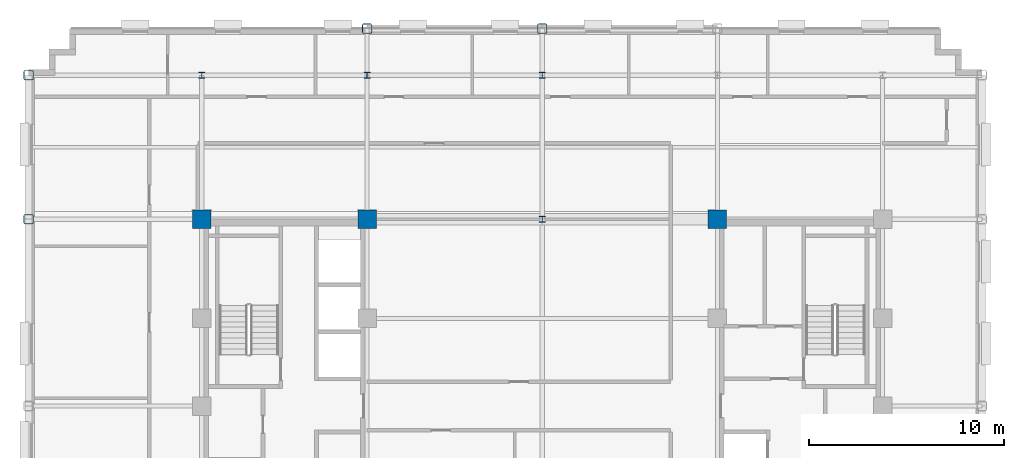
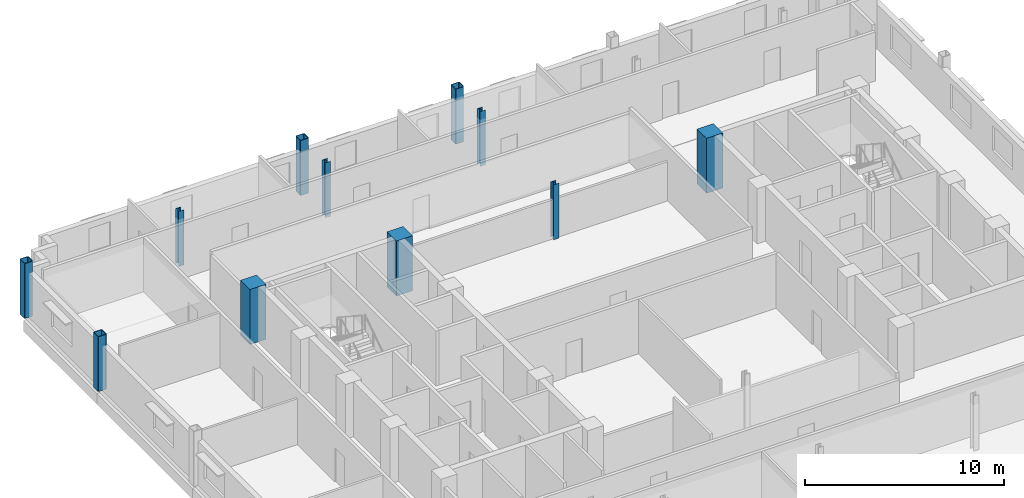
# One storey, part 3 of 15: 11 columns.
"""IFC4 building model written with IfcOpenShell, lengths in metres."""

from ifc_helpers import new_model, si_unit, direction, frame, origin, origin_2d, place, context, subcontext, project, spatial, rectangle, hollow_rectangle, i_section, extrude, material, material_profile, profile_set, type_object, element, save


model = new_model("IFC4")

# Units and contexts
model_context = context("Model", 3, precision=1e-05, world=origin(), true_north=direction((0.0, 1.0)))
body_context = subcontext(model_context, "Body", "Model", "MODEL_VIEW")
ifc_project = project(units=[si_unit("LENGTHUNIT", "METRE"), si_unit("AREAUNIT", "SQUARE_METRE"), si_unit("VOLUMEUNIT", "CUBIC_METRE"), si_unit("PLANEANGLEUNIT", "RADIAN"), si_unit("MASSUNIT", "GRAM", prefix="KILO")], contexts=[model_context])

# Site, building, storey
site_placement = place(None, origin())
site = spatial("IfcSite", under=ifc_project, at=site_placement, CompositionType="ELEMENT")
building_placement = place(site_placement, origin())
building = spatial("IfcBuilding", under=site, at=building_placement, Name="Nuvemarco Arch Tower", CompositionType="ELEMENT")
storey_placement = place(building_placement, frame((0.0, 0.0, 201.85009765625)))
storey = spatial("IfcBuildingStorey", under=building, at=storey_placement, Name="L53", CompositionType="ELEMENT", Elevation=201.85009765625)

# Columns
ifc_material_1 = material(Name="Concrete C50/60", Category="concrete")
ifc_material_profile_1 = material_profile(ifc_material_1, rectangle(XDim=0.949951171875, YDim=0.949951171875, at=origin_2d()), Name="RC-COL-950x950")
ifc_profile_set_1 = profile_set([ifc_material_profile_1], Name="Concrete C50/60")
column_type_1 = type_object("IfcColumnType", Name="COL-CORE-950", PredefinedType="COLUMN", material=ifc_profile_set_1)
for number, where, z_axis, x_axis, name in (
    (1, (-17.5, 9.60009765625, 0.0), (0.0, 0.0, 1.0), (1.0, 0.0, 0.0), "L53 column CC_-17.5_+9.6"),
    (2, (-9.0, 9.60009765625, 0.0), (0.0, 0.0, 1.0), (1.0, 0.0, 0.0), "L53 column CC_-9.0_+9.6"),
    (3, (9.0, 9.60009765625, 0.0), (0.0, 0.0, 1.0), (1.0, 0.0, 0.0), "L53 column CC_+9.0_+9.6"),
):
    element("IfcColumn", number, at=place(storey_placement, frame(where, z_axis=z_axis, x_axis=x_axis)), inside=storey, type_object=column_type_1, Name=name, PredefinedType="COLUMN", context=body_context, shape_type="SweptSolid", body=[
        extrude(rectangle(XDim=0.949951171875, YDim=0.949951171875, at=origin_2d()), origin(), (0.0, 0.0, 1.0), 3.369873046875),
    ])
ifc_material_2 = material(Name="Steel S355", Category="steel")
ifc_material_profile_2 = material_profile(ifc_material_2, hollow_rectangle(XDim=0.5, YDim=0.5, WallThickness=0.031982421875, InnerFilletRadius=0.031982421875, OuterFilletRadius=0.06396484375, at=origin_2d()), Name="SHS500x500x32")
ifc_profile_set_2 = profile_set([ifc_material_profile_2], Name="Steel S355")
column_type_2 = type_object("IfcColumnType", Name="COL-EXO-500", PredefinedType="COLUMN", material=ifc_profile_set_2)
for number, where, z_axis, x_axis, name in (
    (4, (-26.39990234375, 9.60009765625, 0.0), (0.0, 0.0, 1.0), (1.0, 0.0, 0.0), "L53 column CX_-26.4_+9.6"),
    (5, (-26.39990234375, 17.0, 0.0), (0.0, 0.0, 1.0), (1.0, 0.0, 0.0), "L53 column CX_-26.4_+17.0"),
    (6, (-9.0, 19.39990234375, 0.0), (0.0, 0.0, 1.0), (1.0, 0.0, 0.0), "L53 column CY_-9.0_+19.4"),
    (7, (0.0, 19.39990234375, 0.0), (0.0, 0.0, 1.0), (1.0, 0.0, 0.0), "L53 column CY_+0.0_+19.4"),
):
    element("IfcColumn", number, at=place(storey_placement, frame(where, z_axis=z_axis, x_axis=x_axis)), inside=storey, type_object=column_type_2, Name=name, PredefinedType="COLUMN", context=body_context, shape_type="SweptSolid", body=[
        extrude(hollow_rectangle(XDim=0.5, YDim=0.5, WallThickness=0.031982421875, InnerFilletRadius=0.031982421875, OuterFilletRadius=0.06396484375, at=origin_2d()), origin(), (0.0, 0.0, 1.0), 3.369873046875),
    ])
ifc_material_profile_3 = material_profile(ifc_material_2, i_section(OverallWidth=0.31005859375, OverallDepth=0.31005859375, WebThickness=0.015380859375, FlangeThickness=0.015380859375, FilletRadius=0.014892578125, at=origin_2d()), Name="HP310x110")
ifc_profile_set_3 = profile_set([ifc_material_profile_3], Name="Steel S355")
column_type_3 = type_object("IfcColumnType", Name="COL-STL-HP310", PredefinedType="COLUMN", material=ifc_profile_set_3)
for number, where, z_axis, x_axis, name in (
    (8, (0.0, 9.60009765625, 0.0), (0.0, 0.0, 1.0), (1.0, 0.0, 0.0), "L53 column CI_+0.0_+9.6"),
    (9, (0.0, 17.0, 0.0), (0.0, 0.0, 1.0), (1.0, 0.0, 0.0), "L53 column CI_+0.0_+17.0"),
    (10, (-17.5, 17.0, 0.0), (0.0, 0.0, 1.0), (1.0, 0.0, 0.0), "L53 column CI_-17.5_+17.0"),
    (11, (-9.0, 17.0, 0.0), (0.0, 0.0, 1.0), (1.0, 0.0, 0.0), "L53 column CI_-9.0_+17.0"),
):
    element("IfcColumn", number, at=place(storey_placement, frame(where, z_axis=z_axis, x_axis=x_axis)), inside=storey, type_object=column_type_3, Name=name, PredefinedType="COLUMN", context=body_context, shape_type="SweptSolid", body=[
        extrude(i_section(OverallWidth=0.31005859375, OverallDepth=0.31005859375, WebThickness=0.015380859375, FlangeThickness=0.015380859375, FilletRadius=0.014892578125, at=origin_2d()), origin(), (0.0, 0.0, 1.0), 3.369873046875),
    ])

save(model, "model.ifc")
